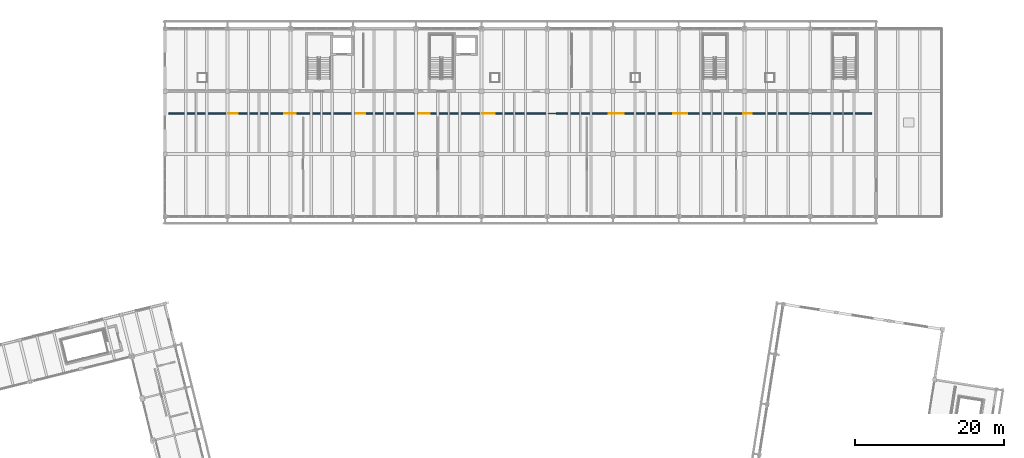
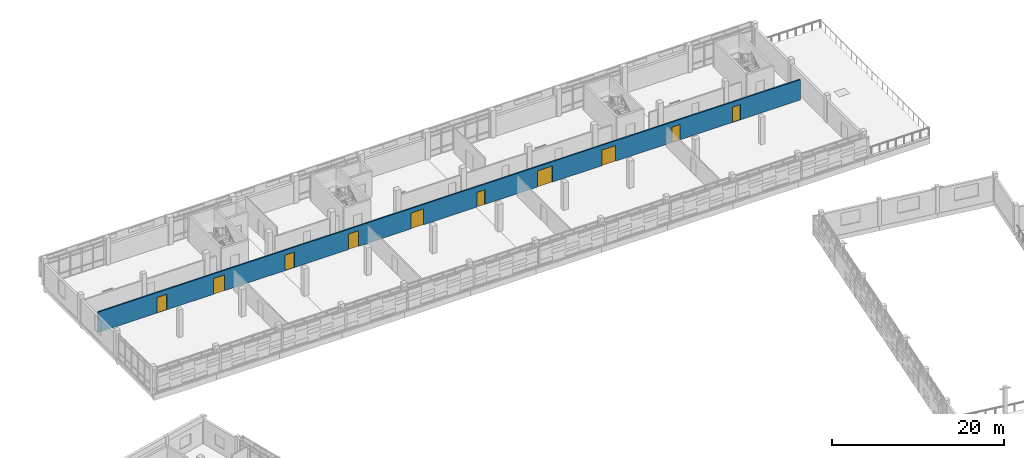
# One storey, part 100 of 117: 10 doors, 1 wall, 10 openings.
"""IFC4 building model written with IfcOpenShell, lengths in metres."""

from ifc_helpers import new_model, si_unit, direction, frame, frame_2d, origin, place, context, subcontext, project, spatial, rectangle, extrude, material, layer, layer_set, type_object, element, fill, save


model = new_model("IFC4")

# Units and contexts
model_context = context("Model", 3, precision=1e-05, world=origin(), true_north=direction((0.0, 1.0)))
body_context = subcontext(model_context, "Body", "Model", "MODEL_VIEW")
ifc_project = project(units=[si_unit("LENGTHUNIT", "METRE"), si_unit("AREAUNIT", "SQUARE_METRE"), si_unit("VOLUMEUNIT", "CUBIC_METRE"), si_unit("PLANEANGLEUNIT", "RADIAN"), si_unit("MASSUNIT", "GRAM", prefix="KILO")], contexts=[model_context])

# Site, building, storey
site_placement = place(None, origin())
site = spatial("IfcSite", under=ifc_project, at=site_placement, CompositionType="ELEMENT")
building_placement = place(site_placement, origin())
building = spatial("IfcBuilding", under=site, at=building_placement, Name="Cinderway Yard Community Centre", CompositionType="ELEMENT")
storey_placement = place(building_placement, frame((0.0, 0.0, 9.0)))
storey = spatial("IfcBuildingStorey", under=building, at=storey_placement, Name="L02", CompositionType="ELEMENT", Elevation=9.0)

# Wall, openings, doors
ifc_material_1 = material(Name="Brick Masonry", Category="masonry")
ifc_layer = layer(ifc_material_1, 0.179931640625, Name="Brick Masonry")
ifc_layer_set = layer_set([ifc_layer], Name="Brick Masonry")
wall_type = type_object("IfcWallType", Name="INT-WAL-PRT180", PredefinedType="PARTITIONING", material=ifc_layer_set)
wall_placement = place(storey_placement, frame((42.14990234375, 103.800048828125, 0.0), z_axis=(0.0, 0.0, 1.0), x_axis=(1.0, 0.0, 0.0)))
wall = element("IfcWall", 1, at=wall_placement, inside=storey, type_object=wall_type, Name="V4 L02 South Corridor Spine INT-PRT-L02-0305", PredefinedType="PARTITIONING", context=body_context, shape_type="SweptSolid", body=[
    extrude(rectangle(XDim=94.10009765625, YDim=0.179931640625, at=frame_2d((47.050048828125, 0.0))), origin(), (0.0, 0.0, 1.0), 2.89501953125),
])
opening_1_placement = place(wall_placement, frame((7.905029296875, 0.0, 0.0)))
opening_1 = element("IfcOpeningElement", 2, at=opening_1_placement, cuts=wall, Name="Opening D-12", PredefinedType="OPENING", context=body_context, shape_type="SweptSolid", body=[
    extrude(rectangle(XDim=1.300048828125, YDim=2.199951171875, at=frame_2d((0.64990234375, 1.10009765625))), frame((0.0, 0.099853515625, 0.0), z_axis=(0.0, -1.0, 0.0), x_axis=(1.0, 0.0, 0.0)), (0.0, 0.0, 1.0), 0.199951171875),
])
opening_2_placement = place(wall_placement, frame((15.458984375, 0.0, 0.0)))
opening_2 = element("IfcOpeningElement", 3, at=opening_2_placement, cuts=wall, Name="Opening D-13", PredefinedType="OPENING", context=body_context, shape_type="SweptSolid", body=[
    extrude(rectangle(XDim=1.5, YDim=2.25, at=frame_2d((0.75, 1.125))), frame((0.0, 0.099853515625, 0.0), z_axis=(0.0, -1.0, 0.0), x_axis=(1.0, 0.0, 0.0)), (0.0, 0.0, 1.0), 0.199951171875),
])
opening_3_placement = place(wall_placement, frame((25.0439453125, 0.0, 0.0)))
opening_3 = element("IfcOpeningElement", 4, at=opening_3_placement, cuts=wall, Name="Opening D-14", PredefinedType="OPENING", context=body_context, shape_type="SweptSolid", body=[
    extrude(rectangle(XDim=1.239990234375, YDim=2.199951171875, at=frame_2d((0.6201171875, 1.10009765625))), frame((0.0, 0.099853515625, 0.0), z_axis=(0.0, -1.0, 0.0), x_axis=(1.0, 0.0, 0.0)), (0.0, 0.0, 1.0), 0.199951171875),
])
opening_4_placement = place(wall_placement, frame((33.5380859375, 0.0, 0.0)))
opening_4 = element("IfcOpeningElement", 5, at=opening_4_placement, cuts=wall, Name="Opening D-15", PredefinedType="OPENING", context=body_context, shape_type="SweptSolid", body=[
    extrude(rectangle(XDim=1.360107421875, YDim=2.219970703125, at=frame_2d((0.68017578125, 1.10986328125))), frame((0.0, 0.099853515625, 0.0), z_axis=(0.0, -1.0, 0.0), x_axis=(1.0, 0.0, 0.0)), (0.0, 0.0, 1.0), 0.199951171875),
])
opening_5_placement = place(wall_placement, frame((41.93310546875, 0.0, 0.0)))
opening_5 = element("IfcOpeningElement", 6, at=opening_5_placement, cuts=wall, Name="Opening D-16", PredefinedType="OPENING", context=body_context, shape_type="SweptSolid", body=[
    extrude(rectangle(XDim=1.679931640625, YDim=2.260009765625, at=frame_2d((0.83984375, 1.1298828125))), frame((0.0, 0.099853515625, 0.0), z_axis=(0.0, -1.0, 0.0), x_axis=(1.0, 0.0, 0.0)), (0.0, 0.0, 1.0), 0.199951171875),
])
opening_6_placement = place(wall_placement, frame((50.806884765625, 0.0, 0.0)))
opening_6 = element("IfcOpeningElement", 7, at=opening_6_placement, cuts=wall, Name="Opening D-17", PredefinedType="OPENING", context=body_context, shape_type="SweptSolid", body=[
    extrude(rectangle(XDim=1.0400390625, YDim=2.080078125, at=frame_2d((0.52001953125, 1.0400390625))), frame((0.0, 0.099853515625, 0.0), z_axis=(0.0, -1.0, 0.0), x_axis=(1.0, 0.0, 0.0)), (0.0, 0.0, 1.0), 0.199951171875),
])
opening_7_placement = place(wall_placement, frame((58.882080078125, 0.0, 0.0)))
opening_7 = element("IfcOpeningElement", 8, at=opening_7_placement, cuts=wall, Name="Opening D-01", PredefinedType="OPENING", context=body_context, shape_type="SweptSolid", body=[
    extrude(rectangle(XDim=2.0, YDim=2.300048828125, at=frame_2d((1.0, 1.14990234375))), frame((0.0, 0.099853515625, 0.0), z_axis=(0.0, -1.0, 0.0), x_axis=(1.0, 0.0, 0.0)), (0.0, 0.0, 1.0), 0.199951171875),
])
opening_8_placement = place(wall_placement, frame((67.510986328125, 0.0, 0.0)))
opening_8 = element("IfcOpeningElement", 9, at=opening_8_placement, cuts=wall, Name="Opening D-02", PredefinedType="OPENING", context=body_context, shape_type="SweptSolid", body=[
    extrude(rectangle(XDim=1.85009765625, YDim=2.219970703125, at=frame_2d((0.925048828125, 1.10986328125))), frame((0.0, 0.099853515625, 0.0), z_axis=(0.0, -1.0, 0.0), x_axis=(1.0, 0.0, 0.0)), (0.0, 0.0, 1.0), 0.199951171875),
])
opening_9_placement = place(wall_placement, frame((76.881103515625, 0.0, 0.0)))
opening_9 = element("IfcOpeningElement", 10, at=opening_9_placement, cuts=wall, Name="Opening D-03", PredefinedType="OPENING", context=body_context, shape_type="SweptSolid", body=[
    extrude(rectangle(XDim=1.1201171875, YDim=2.159912109375, at=frame_2d((0.56005859375, 1.080078125))), frame((0.0, 0.099853515625, 0.0), z_axis=(0.0, -1.0, 0.0), x_axis=(1.0, 0.0, 0.0)), (0.0, 0.0, 1.0), 0.199951171875),
])
opening_10_placement = place(wall_placement, frame((85.014892578125, 0.0, 0.0)))
opening_10 = element("IfcOpeningElement", 11, at=opening_10_placement, cuts=wall, Name="Opening D-04", PredefinedType="OPENING", context=body_context, shape_type="SweptSolid", body=[
    extrude(rectangle(XDim=1.06005859375, YDim=2.159912109375, at=frame_2d((0.530029296875, 1.080078125))), frame((0.0, 0.099853515625, 0.0), z_axis=(0.0, -1.0, 0.0), x_axis=(1.0, 0.0, 0.0)), (0.0, 0.0, 1.0), 0.199951171875),
])
ifc_material_2 = material(Name="Hardwood Timber", Category="wood")
door_type_1 = type_object("IfcDoorType", Name="INT-DOR-CLS106", OperationType="NOTDEFINED", PredefinedType="DOOR", material=ifc_material_2)
door_1_placement = place(opening_10_placement, origin())
door_1 = element("IfcDoor", 12, at=door_1_placement, inside=storey, type_object=door_type_1, Name="Room door INT-DOR-L02-0217", OperationType="SINGLE_SWING_RIGHT", OverallHeight=2.159912109375, OverallWidth=1.06005859375, PredefinedType="DOOR", context=body_context, shape_type="SweptSolid", body=[
    extrude(rectangle(XDim=1.06005859375, YDim=2.159912109375, at=frame_2d((0.530029296875, 1.080078125))), frame((0.0, 0.02490234375, 0.0), z_axis=(0.0, -1.0, 0.0), x_axis=(1.0, 0.0, 0.0)), (0.0, 0.0, 1.0), 0.050048828125),
])
fill(opening_10, door_1)
door_type_2 = type_object("IfcDoorType", Name="INT-DOR-CLS112", OperationType="NOTDEFINED", PredefinedType="DOOR", material=ifc_material_2)
door_2_placement = place(opening_9_placement, origin())
door_2 = element("IfcDoor", 13, at=door_2_placement, inside=storey, type_object=door_type_2, Name="Room door INT-DOR-L02-0216", OperationType="SINGLE_SWING_LEFT", OverallHeight=2.159912109375, OverallWidth=1.1201171875, PredefinedType="DOOR", context=body_context, shape_type="SweptSolid", body=[
    extrude(rectangle(XDim=1.1201171875, YDim=2.159912109375, at=frame_2d((0.56005859375, 1.080078125))), frame((0.0, 0.02490234375, 0.0), z_axis=(0.0, -1.0, 0.0), x_axis=(1.0, 0.0, 0.0)), (0.0, 0.0, 1.0), 0.050048828125),
])
fill(opening_9, door_2)
door_type_3 = type_object("IfcDoorType", Name="INT-DOR-HAL185", OperationType="DOUBLE_DOOR_SINGLE_SWING", PredefinedType="DOOR", material=ifc_material_2)
door_3_placement = place(opening_8_placement, origin())
door_3 = element("IfcDoor", 14, at=door_3_placement, inside=storey, type_object=door_type_3, Name="Room door INT-DOR-L02-0215", OperationType="DOUBLE_DOOR_SINGLE_SWING", OverallHeight=2.219970703125, OverallWidth=1.85009765625, PredefinedType="DOOR", context=body_context, shape_type="SweptSolid", body=[
    extrude(rectangle(XDim=1.85009765625, YDim=2.219970703125, at=frame_2d((0.925048828125, 1.10986328125))), frame((0.0, 0.02490234375, 0.0), z_axis=(0.0, -1.0, 0.0), x_axis=(1.0, 0.0, 0.0)), (0.0, 0.0, 1.0), 0.050048828125),
])
fill(opening_8, door_3)
door_type_4 = type_object("IfcDoorType", Name="INT-DOR-HAL200", OperationType="DOUBLE_DOOR_SINGLE_SWING", PredefinedType="DOOR", material=ifc_material_2)
door_4_placement = place(opening_7_placement, origin())
door_4 = element("IfcDoor", 15, at=door_4_placement, inside=storey, type_object=door_type_4, Name="Room door INT-DOR-L02-0214", OperationType="DOUBLE_DOOR_SINGLE_SWING", OverallHeight=2.300048828125, OverallWidth=2.0, PredefinedType="DOOR", context=body_context, shape_type="SweptSolid", body=[
    extrude(rectangle(XDim=2.0, YDim=2.300048828125, at=frame_2d((1.0, 1.14990234375))), frame((0.0, 0.02490234375, 0.0), z_axis=(0.0, -1.0, 0.0), x_axis=(1.0, 0.0, 0.0)), (0.0, 0.0, 1.0), 0.050048828125),
])
fill(opening_7, door_4)
door_type_5 = type_object("IfcDoorType", Name="INT-DOR-LIB168", OperationType="DOUBLE_DOOR_SINGLE_SWING", PredefinedType="DOOR", material=ifc_material_2)
door_5_placement = place(opening_5_placement, origin())
door_5 = element("IfcDoor", 16, at=door_5_placement, inside=storey, type_object=door_type_5, Name="Room door INT-DOR-L02-0212", OperationType="DOUBLE_DOOR_SINGLE_SWING", OverallHeight=2.260009765625, OverallWidth=1.679931640625, PredefinedType="DOOR", context=body_context, shape_type="SweptSolid", body=[
    extrude(rectangle(XDim=1.679931640625, YDim=2.260009765625, at=frame_2d((0.83984375, 1.1298828125))), frame((0.0, 0.02490234375, 0.0), z_axis=(0.0, -1.0, 0.0), x_axis=(1.0, 0.0, 0.0)), (0.0, 0.0, 1.0), 0.050048828125),
])
fill(opening_5, door_5)
door_type_6 = type_object("IfcDoorType", Name="INT-DOR-NUR104", OperationType="NOTDEFINED", PredefinedType="DOOR", material=ifc_material_2)
door_6_placement = place(opening_6_placement, origin())
door_6 = element("IfcDoor", 17, at=door_6_placement, inside=storey, type_object=door_type_6, Name="Room door INT-DOR-L02-0213", OperationType="SINGLE_SWING_RIGHT", OverallHeight=2.080078125, OverallWidth=1.0400390625, PredefinedType="DOOR", context=body_context, shape_type="SweptSolid", body=[
    extrude(rectangle(XDim=1.0400390625, YDim=2.080078125, at=frame_2d((0.52001953125, 1.0400390625))), frame((0.0, 0.02490234375, 0.0), z_axis=(0.0, -1.0, 0.0), x_axis=(1.0, 0.0, 0.0)), (0.0, 0.0, 1.0), 0.050048828125),
])
fill(opening_6, door_6)
ifc_material_3 = material(Name="Painted Galvanised Steel", Category="steel")
door_type_7 = type_object("IfcDoorType", Name="INT-DOR-PLT130", OperationType="NOTDEFINED", PredefinedType="DOOR", material=ifc_material_3)
door_7_placement = place(opening_1_placement, origin())
door_7 = element("IfcDoor", 18, at=door_7_placement, inside=storey, type_object=door_type_7, Name="Room door INT-DOR-L02-0208", OperationType="SINGLE_SWING_RIGHT", OverallHeight=2.199951171875, OverallWidth=1.300048828125, PredefinedType="DOOR", context=body_context, shape_type="SweptSolid", body=[
    extrude(rectangle(XDim=1.300048828125, YDim=2.199951171875, at=frame_2d((0.64990234375, 1.10009765625))), frame((0.0, 0.02490234375, 0.0), z_axis=(0.0, -1.0, 0.0), x_axis=(1.0, 0.0, 0.0)), (0.0, 0.0, 1.0), 0.050048828125),
])
fill(opening_1, door_7)
door_type_8 = type_object("IfcDoorType", Name="INT-DOR-PLT150", OperationType="DOUBLE_DOOR_SINGLE_SWING", PredefinedType="DOOR", material=ifc_material_3)
door_8_placement = place(opening_2_placement, origin())
door_8 = element("IfcDoor", 19, at=door_8_placement, inside=storey, type_object=door_type_8, Name="Room door INT-DOR-L02-0209", OperationType="DOUBLE_DOOR_SINGLE_SWING", OverallHeight=2.25, OverallWidth=1.5, PredefinedType="DOOR", context=body_context, shape_type="SweptSolid", body=[
    extrude(rectangle(XDim=1.5, YDim=2.25, at=frame_2d((0.75, 1.125))), frame((0.0, 0.02490234375, 0.0), z_axis=(0.0, -1.0, 0.0), x_axis=(1.0, 0.0, 0.0)), (0.0, 0.0, 1.0), 0.050048828125),
])
fill(opening_2, door_8)
door_type_9 = type_object("IfcDoorType", Name="INT-DOR-STU124", OperationType="NOTDEFINED", PredefinedType="DOOR", material=ifc_material_2)
door_9_placement = place(opening_3_placement, origin())
door_9 = element("IfcDoor", 20, at=door_9_placement, inside=storey, type_object=door_type_9, Name="Room door INT-DOR-L02-0210", OperationType="SINGLE_SWING_LEFT", OverallHeight=2.199951171875, OverallWidth=1.239990234375, PredefinedType="DOOR", context=body_context, shape_type="SweptSolid", body=[
    extrude(rectangle(XDim=1.239990234375, YDim=2.199951171875, at=frame_2d((0.6201171875, 1.10009765625))), frame((0.0, 0.02490234375, 0.0), z_axis=(0.0, -1.0, 0.0), x_axis=(1.0, 0.0, 0.0)), (0.0, 0.0, 1.0), 0.050048828125),
])
fill(opening_3, door_9)
door_type_10 = type_object("IfcDoorType", Name="INT-DOR-STU136", OperationType="DOUBLE_DOOR_SINGLE_SWING", PredefinedType="DOOR", material=ifc_material_2)
door_10_placement = place(opening_4_placement, origin())
door_10 = element("IfcDoor", 21, at=door_10_placement, inside=storey, type_object=door_type_10, Name="Room door INT-DOR-L02-0211", OperationType="DOUBLE_DOOR_SINGLE_SWING", OverallHeight=2.219970703125, OverallWidth=1.360107421875, PredefinedType="DOOR", context=body_context, shape_type="SweptSolid", body=[
    extrude(rectangle(XDim=1.360107421875, YDim=2.219970703125, at=frame_2d((0.68017578125, 1.10986328125))), frame((0.0, 0.02490234375, 0.0), z_axis=(0.0, -1.0, 0.0), x_axis=(1.0, 0.0, 0.0)), (0.0, 0.0, 1.0), 0.050048828125),
])
fill(opening_4, door_10)

save(model, "model.ifc")
